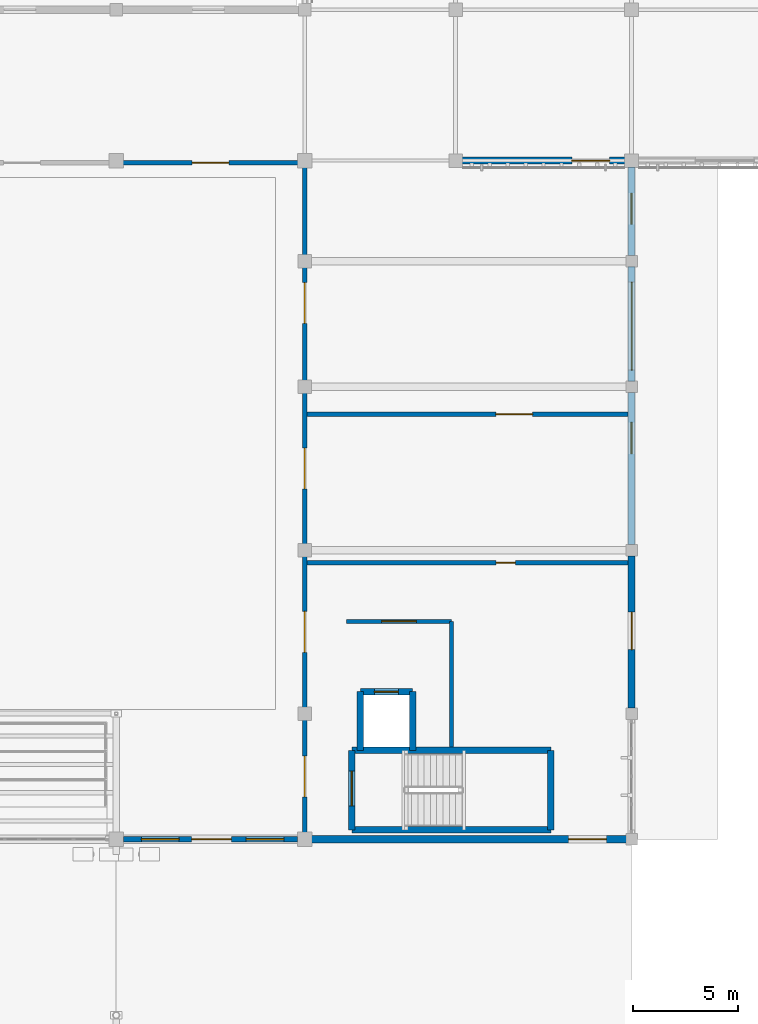
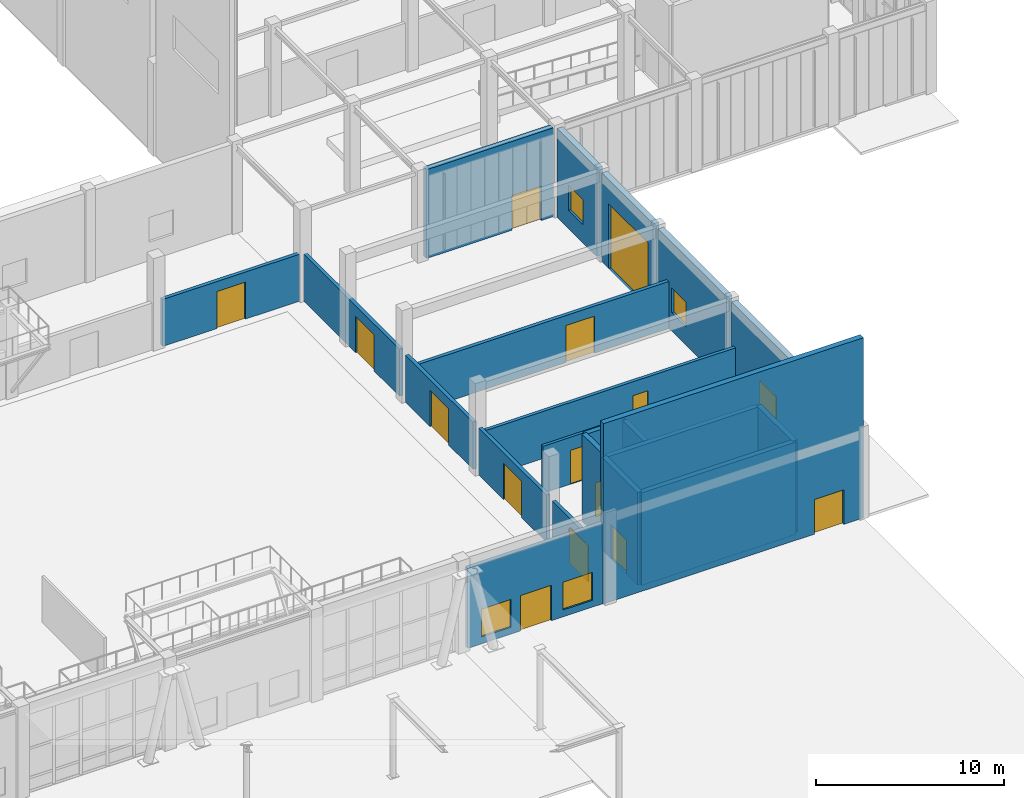
# One storey, part 82 of 110: 23 walls, 15 doors, 4 windows, 19 openings.
"""IFC4 building model written with IfcOpenShell, lengths in metres."""

from ifc_helpers import new_model, si_unit, direction, frame, frame_2d, origin, place, context, subcontext, project, spatial, rectangle, extrude, material, layer, layer_set, type_object, element, fill, save


model = new_model("IFC4")

# Units and contexts
model_context = context("Model", 3, precision=1e-05, world=origin(), true_north=direction((0.0, 1.0)))
body_context = subcontext(model_context, "Body", "Model", "MODEL_VIEW")
ifc_project = project(units=[si_unit("LENGTHUNIT", "METRE"), si_unit("AREAUNIT", "SQUARE_METRE"), si_unit("VOLUMEUNIT", "CUBIC_METRE"), si_unit("PLANEANGLEUNIT", "RADIAN"), si_unit("MASSUNIT", "GRAM", prefix="KILO")], contexts=[model_context])

# Site, building, storey
site_placement = place(None, origin())
site = spatial("IfcSite", under=ifc_project, at=site_placement, CompositionType="ELEMENT")
building_placement = place(site_placement, origin())
building = spatial("IfcBuilding", under=site, at=building_placement, Name="Tizgana Railside Sports Hall", CompositionType="ELEMENT")
storey_placement = place(building_placement, origin())
storey = spatial("IfcBuildingStorey", under=building, at=storey_placement, Name="L00", CompositionType="ELEMENT", Elevation=0.0)

# Walls
ifc_material_1 = material(Name="Concrete C40/50", Category="concrete")
ifc_layer_1 = layer(ifc_material_1, 0.300048828125, Name="Concrete C40/50")
ifc_layer_set_1 = layer_set([ifc_layer_1], Name="Concrete C40/50")
wall_type_1 = type_object("IfcWallType", Name="Core Shear Wall 300", PredefinedType="SHEAR", material=ifc_layer_set_1)
for number, where, z_axis, x_axis, name in (
    (1, (145.550048828125, 41.25, 0.0), (0.0, 0.0, 1.0), (-1.0, 0.0, 0.0), "L00 C5 Shaft Wall S"),
    (2, (136.050048828125, 45.050048828125, 0.0), (0.0, 0.0, 1.0), (1.0, 0.0, 0.0), "L00 C5 Shaft Wall N"),
):
    element("IfcWall", number, at=place(storey_placement, frame(where, z_axis=z_axis, x_axis=x_axis)), inside=storey, type_object=wall_type_1, Name=name, PredefinedType="SHEAR", context=body_context, shape_type="SweptSolid", body=[
        extrude(rectangle(XDim=9.5, YDim=0.300048828125, at=frame_2d((4.75, 0.0))), origin(), (0.0, 0.0, 1.0), 6.0),
    ])

# Wall, opening, door
wall_1_placement = place(storey_placement, frame((136.050048828125, 41.25, 0.0), z_axis=(0.0, 0.0, 1.0), x_axis=(0.0, 1.0, 0.0)))
wall_1 = element("IfcWall", 3, at=wall_1_placement, inside=storey, type_object=wall_type_1, Name="L00 C5 Shaft Wall W", PredefinedType="SHEAR", context=body_context, shape_type="SweptSolid", body=[
    extrude(rectangle(XDim=3.800048828125, YDim=0.300048828125, at=frame_2d((1.89990234375, 0.0))), origin(), (0.0, 0.0, 1.0), 6.0),
])
opening_1_placement = place(wall_1_placement, frame((1.14990234375, 0.0, 0.0)))
opening_1 = element("IfcOpeningElement", 4, at=opening_1_placement, cuts=wall_1, Name="Opening D-0080", PredefinedType="OPENING", context=body_context, shape_type="SweptSolid", body=[
    extrude(rectangle(XDim=1.64990234375, YDim=2.199951171875, at=frame_2d((0.824951171875, 1.10009765625))), frame((0.0, 0.159912109375, 0.0), z_axis=(0.0, -1.0, 0.0), x_axis=(1.0, 0.0, 0.0)), (0.0, 0.0, 1.0), 0.320068359375),
])
ifc_material_2 = material(Name="Timber fire leaf", Category="wood")
door_type_1 = type_object("IfcDoorType", Name="Stair Core Double Fire Door 1650x2200", OperationType="NOTDEFINED", PredefinedType="DOOR", material=ifc_material_2)
door_1_placement = place(opening_1_placement, origin())
door_1 = element("IfcDoor", 5, at=door_1_placement, inside=storey, type_object=door_type_1, Name="L00 Door D-0080", OperationType="DOUBLE_DOOR_SINGLE_SWING", OverallHeight=2.199951171875, OverallWidth=1.64990234375, PredefinedType="DOOR", context=body_context, shape_type="SweptSolid", body=[
    extrude(rectangle(XDim=1.64990234375, YDim=2.199951171875, at=frame_2d((0.824951171875, 1.10009765625))), frame((0.0, 0.02490234375, 0.0), z_axis=(0.0, -1.0, 0.0), x_axis=(1.0, 0.0, 0.0)), (0.0, 0.0, 1.0), 0.050048828125),
])
fill(opening_1, door_1)

# Wall
wall_2_placement = place(storey_placement, frame((145.550048828125, 41.25, 0.0), z_axis=(0.0, 0.0, 1.0), x_axis=(0.0, 1.0, 0.0)))
element("IfcWall", 6, at=wall_2_placement, inside=storey, type_object=wall_type_1, Name="L00 C5 Shaft Wall E", PredefinedType="SHEAR", context=body_context, shape_type="SweptSolid", body=[
    extrude(rectangle(XDim=3.800048828125, YDim=0.300048828125, at=frame_2d((1.89990234375, 0.0))), origin(), (0.0, 0.0, 1.0), 6.0),
])

# Wall, opening, door
wall_3_placement = place(storey_placement, frame((136.449951171875, 47.85009765625, 0.0), z_axis=(0.0, 0.0, 1.0), x_axis=(1.0, 0.0, 0.0)))
wall_3 = element("IfcWall", 7, at=wall_3_placement, inside=storey, type_object=wall_type_1, Name="L00 LP-03 Shaft Wall N", PredefinedType="SHEAR", context=body_context, shape_type="SweptSolid", body=[
    extrude(rectangle(XDim=2.5, YDim=0.300048828125, at=frame_2d((1.25, 0.0))), origin(), (0.0, 0.0, 1.0), 5.659912109375),
])
opening_2_placement = place(wall_3_placement, frame((0.675048828125, 0.0, 0.0)))
opening_2 = element("IfcOpeningElement", 8, at=opening_2_placement, cuts=wall_3, Name="Opening D-0084", PredefinedType="OPENING", context=body_context, shape_type="SweptSolid", body=[
    extrude(rectangle(XDim=1.14990234375, YDim=2.199951171875, at=frame_2d((0.574951171875, 1.10009765625))), frame((0.0, 0.159912109375, 0.0), z_axis=(0.0, -1.0, 0.0), x_axis=(1.0, 0.0, 0.0)), (0.0, 0.0, 1.0), 0.320068359375),
])
ifc_material_3 = material(Name="Brushed stainless steel", Category="steel")
door_type_2 = type_object("IfcDoorType", Name="Passenger Lift Sliding Door 1150x2200", OperationType="NOTDEFINED", PredefinedType="DOOR", material=ifc_material_3)
door_2_placement = place(opening_2_placement, origin())
door_2 = element("IfcDoor", 9, at=door_2_placement, inside=storey, type_object=door_type_2, Name="L00 Door D-0084", OperationType="DOUBLE_DOOR_SLIDING", OverallHeight=2.199951171875, OverallWidth=1.14990234375, PredefinedType="DOOR", context=body_context, shape_type="SweptSolid", body=[
    extrude(rectangle(XDim=1.14990234375, YDim=2.199951171875, at=frame_2d((0.574951171875, 1.10009765625))), frame((0.0, 0.02490234375, 0.0), z_axis=(0.0, -1.0, 0.0), x_axis=(1.0, 0.0, 0.0)), (0.0, 0.0, 1.0), 0.050048828125),
])
fill(opening_2, door_2)

# Walls
for number, where, z_axis, x_axis, name in (
    (10, (136.449951171875, 45.050048828125, 0.0), (0.0, 0.0, 1.0), (0.0, 1.0, 0.0), "L00 LP-03 Shaft Wall W"),
    (11, (138.949951171875, 45.050048828125, 0.0), (0.0, 0.0, 1.0), (0.0, 1.0, 0.0), "L00 LP-03 Shaft Wall E"),
):
    element("IfcWall", number, at=place(storey_placement, frame(where, z_axis=z_axis, x_axis=x_axis)), inside=storey, type_object=wall_type_1, Name=name, PredefinedType="SHEAR", context=body_context, shape_type="SweptSolid", body=[
        extrude(rectangle(XDim=2.800048828125, YDim=0.300048828125, at=frame_2d((1.39990234375, 0.0))), origin(), (0.0, 0.0, 1.0), 5.659912109375),
    ])

# Wall, opening, door
ifc_material_4 = material(Name="Masonry blockwork", Category="masonry")
ifc_layer_2 = layer(ifc_material_4, 0.199951171875, Name="Masonry blockwork")
ifc_layer_set_2 = layer_set([ifc_layer_2], Name="Masonry blockwork")
wall_type_2 = type_object("IfcWallType", Name="Corridor Compartment Partition 200", PredefinedType="STANDARD", material=ifc_layer_set_2)
wall_4_placement = place(storey_placement, frame((133.9150390625, 54.0, 0.0), z_axis=(0.0, 0.0, 1.0), x_axis=(1.0, 0.0, 0.0)))
wall_4 = element("IfcWall", 12, at=wall_4_placement, inside=storey, type_object=wall_type_2, Name="L00 Partition PWAL-0282", PredefinedType="STANDARD", context=body_context, shape_type="SweptSolid", body=[
    extrude(rectangle(XDim=15.31005859375, YDim=0.199951171875, at=frame_2d((7.655029296875, 0.0))), origin(), (0.0, 0.0, 1.0), 3.050048828125),
])
opening_3_placement = place(wall_4_placement, frame((9.02490234375, 0.0, 0.0)))
opening_3 = element("IfcOpeningElement", 13, at=opening_3_placement, cuts=wall_4, Name="Opening D-0270", PredefinedType="OPENING", context=body_context, shape_type="SweptSolid", body=[
    extrude(rectangle(XDim=0.919921875, YDim=2.14990234375, at=frame_2d((0.4599609375, 1.074951171875))), frame((0.0, 0.10986328125, 0.0), z_axis=(0.0, -1.0, 0.0), x_axis=(1.0, 0.0, 0.0)), (0.0, 0.0, 1.0), 0.219970703125),
])
ifc_material_5 = material(Name="Solid beech timber", Category="wood")
door_type_3 = type_object("IfcDoorType", Name="Consultation & Coaching Door 920x2150", OperationType="NOTDEFINED", PredefinedType="DOOR", material=ifc_material_5)
door_3_placement = place(opening_3_placement, origin())
door_3 = element("IfcDoor", 14, at=door_3_placement, inside=storey, type_object=door_type_3, Name="L00 Door D-0270", OperationType="SINGLE_SWING_RIGHT", OverallHeight=2.14990234375, OverallWidth=0.919921875, PredefinedType="DOOR", context=body_context, shape_type="SweptSolid", body=[
    extrude(rectangle(XDim=0.919921875, YDim=2.14990234375, at=frame_2d((0.4599609375, 1.074951171875))), frame((0.0, 0.02490234375, 0.0), z_axis=(0.0, -1.0, 0.0), x_axis=(1.0, 0.0, 0.0)), (0.0, 0.0, 1.0), 0.050048828125),
])
fill(opening_3, door_3)

ifc_layer_3 = layer(ifc_material_4, 0.219970703125, Name="Masonry blockwork")
ifc_layer_set_3 = layer_set([ifc_layer_3], Name="Masonry blockwork")
wall_type_3 = type_object("IfcWallType", Name="Equipment Store Fire Wall 220", PredefinedType="STANDARD", material=ifc_layer_set_3)
wall_5_placement = place(storey_placement, frame((125.10009765625, 73.10009765625, 0.0), z_axis=(0.0, 0.0, 1.0), x_axis=(1.0, 0.0, 0.0)))
wall_5 = element("IfcWall", 15, at=wall_5_placement, inside=storey, type_object=wall_type_3, Name="L00 Partition PWAL-0267", PredefinedType="STANDARD", context=body_context, shape_type="SweptSolid", body=[
    extrude(rectangle(XDim=8.39990234375, YDim=0.219970703125, at=frame_2d((4.199951171875, 0.0))), origin(), (0.0, 0.0, 1.0), 3.050048828125),
])
opening_4_placement = place(wall_5_placement, frame((3.324951171875, 0.0, 0.0)))
opening_4 = element("IfcOpeningElement", 16, at=opening_4_placement, cuts=wall_5, Name="Opening D-0255", PredefinedType="OPENING", context=body_context, shape_type="SweptSolid", body=[
    extrude(rectangle(XDim=1.75, YDim=2.39990234375, at=frame_2d((0.875, 1.199951171875))), frame((0.0, 0.119873046875, 0.0), z_axis=(0.0, -1.0, 0.0), x_axis=(1.0, 0.0, 0.0)), (0.0, 0.0, 1.0), 0.239990234375),
])
ifc_material_6 = material(Name="Galvanised steel sheet", Category="steel")
door_type_4 = type_object("IfcDoorType", Name="Equipment Store Double Fire Door 1750x2400", OperationType="NOTDEFINED", PredefinedType="DOOR", material=ifc_material_6)
door_4_placement = place(opening_4_placement, origin())
door_4 = element("IfcDoor", 17, at=door_4_placement, inside=storey, type_object=door_type_4, Name="L00 Door D-0255", OperationType="DOUBLE_DOOR_SINGLE_SWING", OverallHeight=2.39990234375, OverallWidth=1.75, PredefinedType="DOOR", context=body_context, shape_type="SweptSolid", body=[
    extrude(rectangle(XDim=1.75, YDim=2.39990234375, at=frame_2d((0.875, 1.199951171875))), frame((0.0, 0.02490234375, 0.0), z_axis=(0.0, -1.0, 0.0), x_axis=(1.0, 0.0, 0.0)), (0.0, 0.0, 1.0), 0.050048828125),
])
fill(opening_4, door_4)

wall_6_placement = place(storey_placement, frame((133.800048828125, 40.97509765625, 0.0), z_axis=(0.0, 0.0, 1.0), x_axis=(0.0, 1.0, 0.0)))
wall_6 = element("IfcWall", 18, at=wall_6_placement, inside=storey, type_object=wall_type_3, Name="L00 Partition PWAL-0278", PredefinedType="STANDARD", context=body_context, shape_type="SweptSolid", body=[
    extrude(rectangle(XDim=5.52490234375, YDim=0.219970703125, at=frame_2d((2.762451171875, 0.0))), origin(), (0.0, 0.0, 1.0), 3.050048828125),
])
opening_5_placement = place(wall_6_placement, frame((1.85009765625, 0.0, 0.0)))
opening_5 = element("IfcOpeningElement", 19, at=opening_5_placement, cuts=wall_6, Name="Opening D-0266", PredefinedType="OPENING", context=body_context, shape_type="SweptSolid", body=[
    extrude(rectangle(XDim=1.949951171875, YDim=2.35009765625, at=frame_2d((0.97509765625, 1.175048828125))), frame((0.0, 0.119873046875, 0.0), z_axis=(0.0, -1.0, 0.0), x_axis=(1.0, 0.0, 0.0)), (0.0, 0.0, 1.0), 0.239990234375),
])
door_type_5 = type_object("IfcDoorType", Name="Court Player Double Entry Door 1950x2350", OperationType="NOTDEFINED", PredefinedType="DOOR", material=ifc_material_5)
door_5_placement = place(opening_5_placement, origin())
door_5 = element("IfcDoor", 20, at=door_5_placement, inside=storey, type_object=door_type_5, Name="L00 Door D-0266", OperationType="DOUBLE_DOOR_SINGLE_SWING", OverallHeight=2.35009765625, OverallWidth=1.949951171875, PredefinedType="DOOR", context=body_context, shape_type="SweptSolid", body=[
    extrude(rectangle(XDim=1.949951171875, YDim=2.35009765625, at=frame_2d((0.97509765625, 1.175048828125))), frame((0.0, 0.02490234375, 0.0), z_axis=(0.0, -1.0, 0.0), x_axis=(1.0, 0.0, 0.0)), (0.0, 0.0, 1.0), 0.050048828125),
])
fill(opening_5, door_5)

wall_7_placement = place(storey_placement, frame((133.800048828125, 47.10009765625, 0.0), z_axis=(0.0, 0.0, 1.0), x_axis=(0.0, 1.0, 0.0)))
wall_7 = element("IfcWall", 21, at=wall_7_placement, inside=storey, type_object=wall_type_3, Name="L00 Partition PWAL-0279", PredefinedType="STANDARD", context=body_context, shape_type="SweptSolid", body=[
    extrude(rectangle(XDim=7.199951171875, YDim=0.219970703125, at=frame_2d((3.60009765625, 0.0))), origin(), (0.0, 0.0, 1.0), 3.050048828125),
])
opening_6_placement = place(wall_7_placement, frame((2.625, 0.0, 0.0)))
opening_6 = element("IfcOpeningElement", 22, at=opening_6_placement, cuts=wall_7, Name="Opening D-0267", PredefinedType="OPENING", context=body_context, shape_type="SweptSolid", body=[
    extrude(rectangle(XDim=1.949951171875, YDim=2.35009765625, at=frame_2d((0.97509765625, 1.175048828125))), frame((0.0, 0.119873046875, 0.0), z_axis=(0.0, -1.0, 0.0), x_axis=(1.0, 0.0, 0.0)), (0.0, 0.0, 1.0), 0.239990234375),
])
door_6_placement = place(opening_6_placement, origin())
door_6 = element("IfcDoor", 23, at=door_6_placement, inside=storey, type_object=door_type_5, Name="L00 Door D-0267", OperationType="DOUBLE_DOOR_SINGLE_SWING", OverallHeight=2.35009765625, OverallWidth=1.949951171875, PredefinedType="DOOR", context=body_context, shape_type="SweptSolid", body=[
    extrude(rectangle(XDim=1.949951171875, YDim=2.35009765625, at=frame_2d((0.97509765625, 1.175048828125))), frame((0.0, 0.02490234375, 0.0), z_axis=(0.0, -1.0, 0.0), x_axis=(1.0, 0.0, 0.0)), (0.0, 0.0, 1.0), 0.050048828125),
])
fill(opening_6, door_6)

wall_8_placement = place(storey_placement, frame((133.800048828125, 54.89990234375, 0.0), z_axis=(0.0, 0.0, 1.0), x_axis=(0.0, 1.0, 0.0)))
wall_8 = element("IfcWall", 24, at=wall_8_placement, inside=storey, type_object=wall_type_3, Name="L00 Partition PWAL-0280", PredefinedType="STANDARD", context=body_context, shape_type="SweptSolid", body=[
    extrude(rectangle(XDim=7.2001953125, YDim=0.219970703125, at=frame_2d((3.60009765625, 0.0))), origin(), (0.0, 0.0, 1.0), 3.050048828125),
])
opening_7_placement = place(wall_8_placement, frame((2.625, 0.0, 0.0)))
opening_7 = element("IfcOpeningElement", 25, at=opening_7_placement, cuts=wall_8, Name="Opening D-0268", PredefinedType="OPENING", context=body_context, shape_type="SweptSolid", body=[
    extrude(rectangle(XDim=1.949951171875, YDim=2.35009765625, at=frame_2d((0.97509765625, 1.175048828125))), frame((0.0, 0.119873046875, 0.0), z_axis=(0.0, -1.0, 0.0), x_axis=(1.0, 0.0, 0.0)), (0.0, 0.0, 1.0), 0.239990234375),
])
door_7_placement = place(opening_7_placement, origin())
door_7 = element("IfcDoor", 26, at=door_7_placement, inside=storey, type_object=door_type_5, Name="L00 Door D-0268", OperationType="DOUBLE_DOOR_SINGLE_SWING", OverallHeight=2.35009765625, OverallWidth=1.949951171875, PredefinedType="DOOR", context=body_context, shape_type="SweptSolid", body=[
    extrude(rectangle(XDim=1.949951171875, YDim=2.35009765625, at=frame_2d((0.97509765625, 1.175048828125))), frame((0.0, 0.02490234375, 0.0), z_axis=(0.0, -1.0, 0.0), x_axis=(1.0, 0.0, 0.0)), (0.0, 0.0, 1.0), 0.050048828125),
])
fill(opening_7, door_7)

wall_9_placement = place(storey_placement, frame((133.800048828125, 62.699951171875, 0.0), z_axis=(0.0, 0.0, 1.0), x_axis=(0.0, 1.0, 0.0)))
wall_9 = element("IfcWall", 27, at=wall_9_placement, inside=storey, type_object=wall_type_3, Name="L00 Partition PWAL-0281", PredefinedType="STANDARD", context=body_context, shape_type="SweptSolid", body=[
    extrude(rectangle(XDim=10.199951171875, YDim=0.219970703125, at=frame_2d((5.10009765625, 0.0))), origin(), (0.0, 0.0, 1.0), 3.050048828125),
])
opening_8_placement = place(wall_9_placement, frame((2.72509765625, 0.0, 0.0)))
opening_8 = element("IfcOpeningElement", 28, at=opening_8_placement, cuts=wall_9, Name="Opening D-0269", PredefinedType="OPENING", context=body_context, shape_type="SweptSolid", body=[
    extrude(rectangle(XDim=1.949951171875, YDim=2.35009765625, at=frame_2d((0.97509765625, 1.175048828125))), frame((0.0, 0.119873046875, 0.0), z_axis=(0.0, -1.0, 0.0), x_axis=(1.0, 0.0, 0.0)), (0.0, 0.0, 1.0), 0.239990234375),
])
door_8_placement = place(opening_8_placement, origin())
door_8 = element("IfcDoor", 29, at=door_8_placement, inside=storey, type_object=door_type_5, Name="L00 Door D-0269", OperationType="DOUBLE_DOOR_SINGLE_SWING", OverallHeight=2.35009765625, OverallWidth=1.949951171875, PredefinedType="DOOR", context=body_context, shape_type="SweptSolid", body=[
    extrude(rectangle(XDim=1.949951171875, YDim=2.35009765625, at=frame_2d((0.97509765625, 1.175048828125))), frame((0.0, 0.02490234375, 0.0), z_axis=(0.0, -1.0, 0.0), x_axis=(1.0, 0.0, 0.0)), (0.0, 0.0, 1.0), 0.050048828125),
])
fill(opening_8, door_8)

wall_10_placement = place(storey_placement, frame((133.9150390625, 61.10009765625, 0.0), z_axis=(0.0, 0.0, 1.0), x_axis=(1.0, 0.0, 0.0)))
wall_10 = element("IfcWall", 30, at=wall_10_placement, inside=storey, type_object=wall_type_3, Name="L00 Partition PWAL-0283", PredefinedType="STANDARD", context=body_context, shape_type="SweptSolid", body=[
    extrude(rectangle(XDim=15.31005859375, YDim=0.219970703125, at=frame_2d((7.655029296875, 0.0))), origin(), (0.0, 0.0, 1.0), 3.050048828125),
])
opening_9_placement = place(wall_10_placement, frame((9.010009765625, 0.0, 0.0)))
opening_9 = element("IfcOpeningElement", 31, at=opening_9_placement, cuts=wall_10, Name="Opening D-0271", PredefinedType="OPENING", context=body_context, shape_type="SweptSolid", body=[
    extrude(rectangle(XDim=1.75, YDim=2.39990234375, at=frame_2d((0.875, 1.199951171875))), frame((0.0, 0.119873046875, 0.0), z_axis=(0.0, -1.0, 0.0), x_axis=(1.0, 0.0, 0.0)), (0.0, 0.0, 1.0), 0.239990234375),
])
door_9_placement = place(opening_9_placement, origin())
door_9 = element("IfcDoor", 32, at=door_9_placement, inside=storey, type_object=door_type_4, Name="L00 Door D-0271", OperationType="DOUBLE_DOOR_SINGLE_SWING", OverallHeight=2.39990234375, OverallWidth=1.75, PredefinedType="DOOR", context=body_context, shape_type="SweptSolid", body=[
    extrude(rectangle(XDim=1.75, YDim=2.39990234375, at=frame_2d((0.875, 1.199951171875))), frame((0.0, 0.02490234375, 0.0), z_axis=(0.0, -1.0, 0.0), x_axis=(1.0, 0.0, 0.0)), (0.0, 0.0, 1.0), 0.050048828125),
])
fill(opening_9, door_9)

# Wall, openings, door, windows
ifc_material_7 = material(Name="Cross-laminated timber CL24h", Category="wood")
ifc_layer_4 = layer(ifc_material_7, 0.25, Name="Cross-laminated timber CL24h")
ifc_layer_set_4 = layer_set([ifc_layer_4], Name="Cross-laminated timber CL24h")
wall_type_4 = type_object("IfcWallType", Name="Exterior Clerestory Spandrel 250", PredefinedType="STANDARD", material=ifc_layer_set_4)
wall_11_placement = place(storey_placement, frame((133.449951171875, 40.800048828125, 0.0), z_axis=(0.0, 0.0, 1.0), x_axis=(-1.0, 0.0, 0.0)))
wall_11 = element("IfcWall", 33, at=wall_11_placement, inside=storey, type_object=wall_type_4, Name="L00 Exterior Wall EWAL-0049", PredefinedType="STANDARD", context=body_context, shape_type="SweptSolid", body=[
    extrude(rectangle(XDim=8.300048828125, YDim=0.25, at=frame_2d((4.14990234375, 0.0))), origin(), (0.0, 0.0, 1.0), 5.18994140625),
])
opening_10_placement = place(wall_11_placement, frame((3.14990234375, 0.0, 0.0)))
opening_10 = element("IfcOpeningElement", 34, at=opening_10_placement, cuts=wall_11, Name="Opening D-0014", PredefinedType="OPENING", context=body_context, shape_type="SweptSolid", body=[
    extrude(rectangle(XDim=1.89990234375, YDim=2.300048828125, at=frame_2d((0.949951171875, 1.14990234375))), frame((0.0, 0.135009765625, 0.0), z_axis=(0.0, -1.0, 0.0), x_axis=(1.0, 0.0, 0.0)), (0.0, 0.0, 1.0), 0.27001953125),
])
opening_11_placement = place(wall_11_placement, frame((0.64990234375, 0.0, 0.449951171875)))
opening_11 = element("IfcOpeningElement", 35, at=opening_11_placement, cuts=wall_11, Name="Opening W-0037", PredefinedType="OPENING", context=body_context, shape_type="SweptSolid", body=[
    extrude(rectangle(XDim=1.800048828125, YDim=1.800048828125, at=frame_2d((0.89990234375, 0.89990234375))), frame((0.0, 0.135009765625, 0.0), z_axis=(0.0, -1.0, 0.0), x_axis=(1.0, 0.0, 0.0)), (0.0, 0.0, 1.0), 0.27001953125),
])
opening_12_placement = place(wall_11_placement, frame((5.64990234375, 0.0, 0.449951171875)))
opening_12 = element("IfcOpeningElement", 36, at=opening_12_placement, cuts=wall_11, Name="Opening W-0038", PredefinedType="OPENING", context=body_context, shape_type="SweptSolid", body=[
    extrude(rectangle(XDim=1.800048828125, YDim=1.800048828125, at=frame_2d((0.89990234375, 0.89990234375))), frame((0.0, 0.135009765625, 0.0), z_axis=(0.0, -1.0, 0.0), x_axis=(1.0, 0.0, 0.0)), (0.0, 0.0, 1.0), 0.27001953125),
])
door_type_6 = type_object("IfcDoorType", Name="Court Direct Emergency Exit Door 1900x2300", OperationType="NOTDEFINED", PredefinedType="DOOR", material=ifc_material_6)
door_10_placement = place(opening_10_placement, origin())
door_10 = element("IfcDoor", 37, at=door_10_placement, inside=storey, type_object=door_type_6, Name="L00 Door D-0014", OperationType="DOUBLE_DOOR_SINGLE_SWING", OverallHeight=2.300048828125, OverallWidth=1.89990234375, PredefinedType="DOOR", context=body_context, shape_type="SweptSolid", body=[
    extrude(rectangle(XDim=1.89990234375, YDim=2.300048828125, at=frame_2d((0.949951171875, 1.14990234375))), frame((0.0, 0.02490234375, 0.0), z_axis=(0.0, -1.0, 0.0), x_axis=(1.0, 0.0, 0.0)), (0.0, 0.0, 1.0), 0.050048828125),
])
fill(opening_10, door_10)
ifc_material_8 = material(Name="Double low-E laminated glass", Category="glass")
window_type_1 = type_object("IfcWindowType", Name="Upper Hall Clustered Window 1800x1800", PartitioningType="SINGLE_PANEL", PredefinedType="WINDOW", material=ifc_material_8)
window_1_placement = place(opening_11_placement, origin())
window_1 = element("IfcWindow", 38, at=window_1_placement, inside=storey, type_object=window_type_1, Name="L00 Window W-0037", OverallHeight=1.800048828125, OverallWidth=1.800048828125, PartitioningType="SINGLE_PANEL", PredefinedType="WINDOW", context=body_context, shape_type="SweptSolid", body=[
    extrude(rectangle(XDim=1.800048828125, YDim=1.800048828125, at=frame_2d((0.89990234375, 0.89990234375))), frame((0.0, 0.030029296875, 0.0), z_axis=(0.0, -1.0, 0.0), x_axis=(1.0, 0.0, 0.0)), (0.0, 0.0, 1.0), 0.06005859375),
])
fill(opening_11, window_1)
window_2_placement = place(opening_12_placement, origin())
window_2 = element("IfcWindow", 39, at=window_2_placement, inside=storey, type_object=window_type_1, Name="L00 Window W-0038", OverallHeight=1.800048828125, OverallWidth=1.800048828125, PartitioningType="SINGLE_PANEL", PredefinedType="WINDOW", context=body_context, shape_type="SweptSolid", body=[
    extrude(rectangle(XDim=1.800048828125, YDim=1.800048828125, at=frame_2d((0.89990234375, 0.89990234375))), frame((0.0, 0.030029296875, 0.0), z_axis=(0.0, -1.0, 0.0), x_axis=(1.0, 0.0, 0.0)), (0.0, 0.0, 1.0), 0.06005859375),
])
fill(opening_12, window_2)

# Wall, opening, door
ifc_material_9 = material(Name="Concrete C35/45", Category="concrete")
ifc_layer_5 = layer(ifc_material_9, 0.340087890625, Name="Concrete C35/45")
ifc_layer_set_5 = layer_set([ifc_layer_5], Name="Concrete C35/45")
wall_type_5 = type_object("IfcWallType", Name="Exterior Insulated Concrete Wall 340", PredefinedType="STANDARD", material=ifc_layer_set_5)
wall_12_placement = place(storey_placement, frame((149.39990234375, 40.800048828125, 0.0), z_axis=(0.0, 0.0, 1.0), x_axis=(-1.0, 0.0, 0.0)))
wall_12 = element("IfcWall", 40, at=wall_12_placement, inside=storey, type_object=wall_type_5, Name="L00 Exterior Wall EWAL-0054", PredefinedType="STANDARD", context=body_context, shape_type="SweptSolid", body=[
    extrude(rectangle(XDim=15.94482421875, YDim=0.340087890625, at=frame_2d((7.972412109375, 0.0))), origin(), (0.0, 0.0, 1.0), 11.68994140625),
])
opening_13_placement = place(wall_12_placement, frame((1.199951171875, 0.0, 0.0)))
opening_13 = element("IfcOpeningElement", 41, at=opening_13_placement, cuts=wall_12, Name="Opening D-0015", PredefinedType="OPENING", context=body_context, shape_type="SweptSolid", body=[
    extrude(rectangle(XDim=1.800048828125, YDim=2.25, at=frame_2d((0.89990234375, 1.125))), frame((0.0, 0.179931640625, 0.0), z_axis=(0.0, -1.0, 0.0), x_axis=(1.0, 0.0, 0.0)), (0.0, 0.0, 1.0), 0.360107421875),
])
door_type_7 = type_object("IfcDoorType", Name="Protected Stair Final Exit Door 1800x2250", OperationType="NOTDEFINED", PredefinedType="DOOR", material=ifc_material_6)
door_11_placement = place(opening_13_placement, origin())
door_11 = element("IfcDoor", 42, at=door_11_placement, inside=storey, type_object=door_type_7, Name="L00 Door D-0015", OperationType="DOUBLE_DOOR_SINGLE_SWING", OverallHeight=2.25, OverallWidth=1.800048828125, PredefinedType="DOOR", context=body_context, shape_type="SweptSolid", body=[
    extrude(rectangle(XDim=1.800048828125, YDim=2.25, at=frame_2d((0.89990234375, 1.125))), frame((0.0, 0.02490234375, 0.0), z_axis=(0.0, -1.0, 0.0), x_axis=(1.0, 0.0, 0.0)), (0.0, 0.0, 1.0), 0.050048828125),
])
fill(opening_13, door_11)

wall_13_placement = place(storey_placement, frame((149.39990234375, 54.3349609375, 0.0), z_axis=(0.0, 0.0, 1.0), x_axis=(0.0, -1.0, 0.0)))
wall_13 = element("IfcWall", 43, at=wall_13_placement, inside=storey, type_object=wall_type_5, Name="L00 Exterior Wall EWAL-0055", PredefinedType="STANDARD", context=body_context, shape_type="SweptSolid", body=[
    extrude(rectangle(XDim=7.27001953125, YDim=0.340087890625, at=frame_2d((3.635009765625, 0.0))), origin(), (0.0, 0.0, 1.0), 5.760009765625),
])
opening_14_placement = place(wall_13_placement, frame((2.68505859375, 0.0, 0.0)))
opening_14 = element("IfcOpeningElement", 44, at=opening_14_placement, cuts=wall_13, Name="Opening D-0016", PredefinedType="OPENING", context=body_context, shape_type="SweptSolid", body=[
    extrude(rectangle(XDim=1.800048828125, YDim=2.25, at=frame_2d((0.89990234375, 1.125))), frame((0.0, 0.179931640625, 0.0), z_axis=(0.0, -1.0, 0.0), x_axis=(1.0, 0.0, 0.0)), (0.0, 0.0, 1.0), 0.360107421875),
])
door_12_placement = place(opening_14_placement, origin())
door_12 = element("IfcDoor", 45, at=door_12_placement, inside=storey, type_object=door_type_7, Name="L00 Door D-0016", OperationType="DOUBLE_DOOR_SINGLE_SWING", OverallHeight=2.25, OverallWidth=1.800048828125, PredefinedType="DOOR", context=body_context, shape_type="SweptSolid", body=[
    extrude(rectangle(XDim=1.800048828125, YDim=2.25, at=frame_2d((0.89990234375, 1.125))), frame((0.0, 0.02490234375, 0.0), z_axis=(0.0, -1.0, 0.0), x_axis=(1.0, 0.0, 0.0)), (0.0, 0.0, 1.0), 0.050048828125),
])
fill(opening_14, door_12)

# Wall, opening, window
wall_14_placement = place(storey_placement, frame((149.39990234375, 62.135009765625, 0.0), z_axis=(0.0, 0.0, 1.0), x_axis=(0.0, -1.0, 0.0)))
wall_14 = element("IfcWall", 46, at=wall_14_placement, inside=storey, type_object=wall_type_5, Name="L00 Exterior Wall EWAL-0056", PredefinedType="STANDARD", context=body_context, shape_type="SweptSolid", body=[
    extrude(rectangle(XDim=7.27001953125, YDim=0.340087890625, at=frame_2d((3.635009765625, 0.0))), origin(), (0.0, 0.0, 1.0), 5.760009765625),
])
opening_15_placement = place(wall_14_placement, frame((1.43505859375, 0.0, 1.199951171875)))
opening_15 = element("IfcOpeningElement", 47, at=opening_15_placement, cuts=wall_14, Name="Opening W-0041", PredefinedType="OPENING", context=body_context, shape_type="SweptSolid", body=[
    extrude(rectangle(XDim=1.5, YDim=1.60009765625, at=frame_2d((0.75, 0.800048828125))), frame((0.0, 0.179931640625, 0.0), z_axis=(0.0, -1.0, 0.0), x_axis=(1.0, 0.0, 0.0)), (0.0, 0.0, 1.0), 0.360107421875),
])
window_type_2 = type_object("IfcWindowType", Name="Referees Suite Window 1500x1600", PartitioningType="SINGLE_PANEL", PredefinedType="WINDOW", material=ifc_material_8)
window_3_placement = place(opening_15_placement, origin())
window_3 = element("IfcWindow", 48, at=window_3_placement, inside=storey, type_object=window_type_2, Name="L00 Window W-0041", OverallHeight=1.60009765625, OverallWidth=1.5, PartitioningType="SINGLE_PANEL", PredefinedType="WINDOW", context=body_context, shape_type="SweptSolid", body=[
    extrude(rectangle(XDim=1.5, YDim=1.60009765625, at=frame_2d((0.75, 0.800048828125))), frame((0.0, 0.030029296875, 0.0), z_axis=(0.0, -1.0, 0.0), x_axis=(1.0, 0.0, 0.0)), (0.0, 0.0, 1.0), 0.06005859375),
])
fill(opening_15, window_3)

# Wall, opening, door
wall_15_placement = place(storey_placement, frame((149.39990234375, 68.135009765625, 0.0), z_axis=(0.0, 0.0, 1.0), x_axis=(0.0, -1.0, 0.0)))
wall_15 = element("IfcWall", 49, at=wall_15_placement, inside=storey, type_object=wall_type_5, Name="L00 Exterior Wall EWAL-0057", PredefinedType="STANDARD", context=body_context, shape_type="SweptSolid", body=[
    extrude(rectangle(XDim=5.469970703125, YDim=0.340087890625, at=frame_2d((2.73486328125, 0.0))), origin(), (0.0, 0.0, 1.0), 5.760009765625),
])
opening_16_placement = place(wall_15_placement, frame((0.735107421875, 0.0, 0.0)))
opening_16 = element("IfcOpeningElement", 50, at=opening_16_placement, cuts=wall_15, Name="Opening D-0017", PredefinedType="OPENING", context=body_context, shape_type="SweptSolid", body=[
    extrude(rectangle(XDim=4.199951171875, YDim=4.199951171875, at=frame_2d((2.10009765625, 2.10009765625))), frame((0.0, 0.179931640625, 0.0), z_axis=(0.0, -1.0, 0.0), x_axis=(1.0, 0.0, 0.0)), (0.0, 0.0, 1.0), 0.360107421875),
])
door_type_8 = type_object("IfcDoorType", Name="Loading Bay Roller Shutter 4200x4200", OperationType="NOTDEFINED", PredefinedType="GATE", material=ifc_material_6)
door_13_placement = place(opening_16_placement, origin())
door_13 = element("IfcDoor", 51, at=door_13_placement, inside=storey, type_object=door_type_8, Name="L00 Door D-0017", OperationType="ROLLINGUP", OverallHeight=4.199951171875, OverallWidth=4.199951171875, PredefinedType="GATE", context=body_context, shape_type="SweptSolid", body=[
    extrude(rectangle(XDim=4.199951171875, YDim=4.199951171875, at=frame_2d((2.10009765625, 2.10009765625))), frame((0.0, 0.02490234375, 0.0), z_axis=(0.0, -1.0, 0.0), x_axis=(1.0, 0.0, 0.0)), (0.0, 0.0, 1.0), 0.050048828125),
])
fill(opening_16, door_13)

# Wall, opening, window
wall_16_placement = place(storey_placement, frame((149.39990234375, 72.885009765625, 0.0), z_axis=(0.0, 0.0, 1.0), x_axis=(0.0, -1.0, 0.0)))
wall_16 = element("IfcWall", 52, at=wall_16_placement, inside=storey, type_object=wall_type_5, Name="L00 Exterior Wall EWAL-0058", PredefinedType="STANDARD", context=body_context, shape_type="SweptSolid", body=[
    extrude(rectangle(XDim=4.219970703125, YDim=0.340087890625, at=frame_2d((2.10986328125, 0.0))), origin(), (0.0, 0.0, 1.0), 5.760009765625),
])
opening_17_placement = place(wall_16_placement, frame((1.235107421875, 0.0, 1.199951171875)))
opening_17 = element("IfcOpeningElement", 53, at=opening_17_placement, cuts=wall_16, Name="Opening W-0042", PredefinedType="OPENING", context=body_context, shape_type="SweptSolid", body=[
    extrude(rectangle(XDim=1.5, YDim=1.60009765625, at=frame_2d((0.75, 0.800048828125))), frame((0.0, 0.179931640625, 0.0), z_axis=(0.0, -1.0, 0.0), x_axis=(1.0, 0.0, 0.0)), (0.0, 0.0, 1.0), 0.360107421875),
])
window_4_placement = place(opening_17_placement, origin())
window_4 = element("IfcWindow", 54, at=window_4_placement, inside=storey, type_object=window_type_2, Name="L00 Window W-0042", OverallHeight=1.60009765625, OverallWidth=1.5, PartitioningType="SINGLE_PANEL", PredefinedType="WINDOW", context=body_context, shape_type="SweptSolid", body=[
    extrude(rectangle(XDim=1.5, YDim=1.60009765625, at=frame_2d((0.75, 0.800048828125))), frame((0.0, 0.030029296875, 0.0), z_axis=(0.0, -1.0, 0.0), x_axis=(1.0, 0.0, 0.0)), (0.0, 0.0, 1.0), 0.06005859375),
])
fill(opening_17, window_4)

# Wall, opening, door
ifc_layer_6 = layer(ifc_material_9, 0.330078125, Name="Concrete C35/45")
ifc_layer_set_6 = layer_set([ifc_layer_6], Name="Concrete C35/45")
wall_type_6 = type_object("IfcWallType", Name="Exterior Pavilion Plinth Wall 330", PredefinedType="STANDARD", material=ifc_layer_set_6)
wall_17_placement = place(storey_placement, frame((149.0849609375, 73.199951171875, 0.0), z_axis=(0.0, 0.0, 1.0), x_axis=(-1.0, 0.0, 0.0)))
wall_17 = element("IfcWall", 55, at=wall_17_placement, inside=storey, type_object=wall_type_6, Name="L00 Exterior Wall EWAL-0062", PredefinedType="STANDARD", context=body_context, shape_type="SweptSolid", body=[
    extrude(rectangle(XDim=7.77001953125, YDim=0.330078125, at=frame_2d((3.885009765625, 0.0))), origin(), (0.0, 0.0, 1.0), 5.760009765625),
])
opening_18_placement = place(wall_17_placement, frame((0.735107421875, 0.0, 0.0)))
opening_18 = element("IfcOpeningElement", 56, at=opening_18_placement, cuts=wall_17, Name="Opening D-0021", PredefinedType="OPENING", context=body_context, shape_type="SweptSolid", body=[
    extrude(rectangle(XDim=1.800048828125, YDim=2.25, at=frame_2d((0.89990234375, 1.125))), frame((0.0, 0.175048828125, 0.0), z_axis=(0.0, -1.0, 0.0), x_axis=(1.0, 0.0, 0.0)), (0.0, 0.0, 1.0), 0.35009765625),
])
door_14_placement = place(opening_18_placement, origin())
door_14 = element("IfcDoor", 57, at=door_14_placement, inside=storey, type_object=door_type_7, Name="L00 Door D-0021", OperationType="DOUBLE_DOOR_SINGLE_SWING", OverallHeight=2.25, OverallWidth=1.800048828125, PredefinedType="DOOR", context=body_context, shape_type="SweptSolid", body=[
    extrude(rectangle(XDim=1.800048828125, YDim=2.25, at=frame_2d((0.89990234375, 1.125))), frame((0.0, 0.02490234375, 0.0), z_axis=(0.0, -1.0, 0.0), x_axis=(1.0, 0.0, 0.0)), (0.0, 0.0, 1.0), 0.050048828125),
])
fill(opening_18, door_14)

ifc_layer_7 = layer(ifc_material_4, 0.179931640625, Name="Masonry blockwork")
ifc_layer_set_7 = layer_set([ifc_layer_7], Name="Masonry blockwork")
wall_type_7 = type_object("IfcWallType", Name="Riser and Shaft Wall 180", PredefinedType="STANDARD", material=ifc_layer_set_7)
wall_18_placement = place(storey_placement, frame((135.800048828125, 51.199951171875, 0.0), z_axis=(0.0, 0.0, 1.0), x_axis=(1.0, 0.0, 0.0)))
wall_18 = element("IfcWall", 58, at=wall_18_placement, inside=storey, type_object=wall_type_7, Name="L00 Partition PWAL-0344", PredefinedType="STANDARD", context=body_context, shape_type="SweptSolid", body=[
    extrude(rectangle(XDim=5.0, YDim=0.179931640625, at=frame_2d((2.5, 0.0))), origin(), (0.0, 0.0, 1.0), 3.050048828125),
])
opening_19_placement = place(wall_18_placement, frame((1.675048828125, 0.0, 0.0)))
opening_19 = element("IfcOpeningElement", 59, at=opening_19_placement, cuts=wall_18, Name="Opening D-0308", PredefinedType="OPENING", context=body_context, shape_type="SweptSolid", body=[
    extrude(rectangle(XDim=1.64990234375, YDim=2.199951171875, at=frame_2d((0.824951171875, 1.10009765625))), frame((0.0, 0.099853515625, 0.0), z_axis=(0.0, -1.0, 0.0), x_axis=(1.0, 0.0, 0.0)), (0.0, 0.0, 1.0), 0.199951171875),
])
door_15_placement = place(opening_19_placement, origin())
door_15 = element("IfcDoor", 60, at=door_15_placement, inside=storey, type_object=door_type_1, Name="L00 Door D-0308", OperationType="DOUBLE_DOOR_SINGLE_SWING", OverallHeight=2.199951171875, OverallWidth=1.64990234375, PredefinedType="DOOR", context=body_context, shape_type="SweptSolid", body=[
    extrude(rectangle(XDim=1.64990234375, YDim=2.199951171875, at=frame_2d((0.824951171875, 1.10009765625))), frame((0.0, 0.02490234375, 0.0), z_axis=(0.0, -1.0, 0.0), x_axis=(1.0, 0.0, 0.0)), (0.0, 0.0, 1.0), 0.050048828125),
])
fill(opening_19, door_15)

# Wall
wall_19_placement = place(storey_placement, frame((140.800048828125, 45.205078125, 0.0), z_axis=(0.0, 0.0, 1.0), x_axis=(0.0, 1.0, 0.0)))
element("IfcWall", 61, at=wall_19_placement, inside=storey, type_object=wall_type_7, Name="L00 Partition PWAL-0345", PredefinedType="STANDARD", context=body_context, shape_type="SweptSolid", body=[
    extrude(rectangle(XDim=5.994873046875, YDim=0.179931640625, at=frame_2d((2.99755859375, 0.0))), origin(), (0.0, 0.0, 1.0), 3.050048828125),
])

save(model, "model.ifc")
